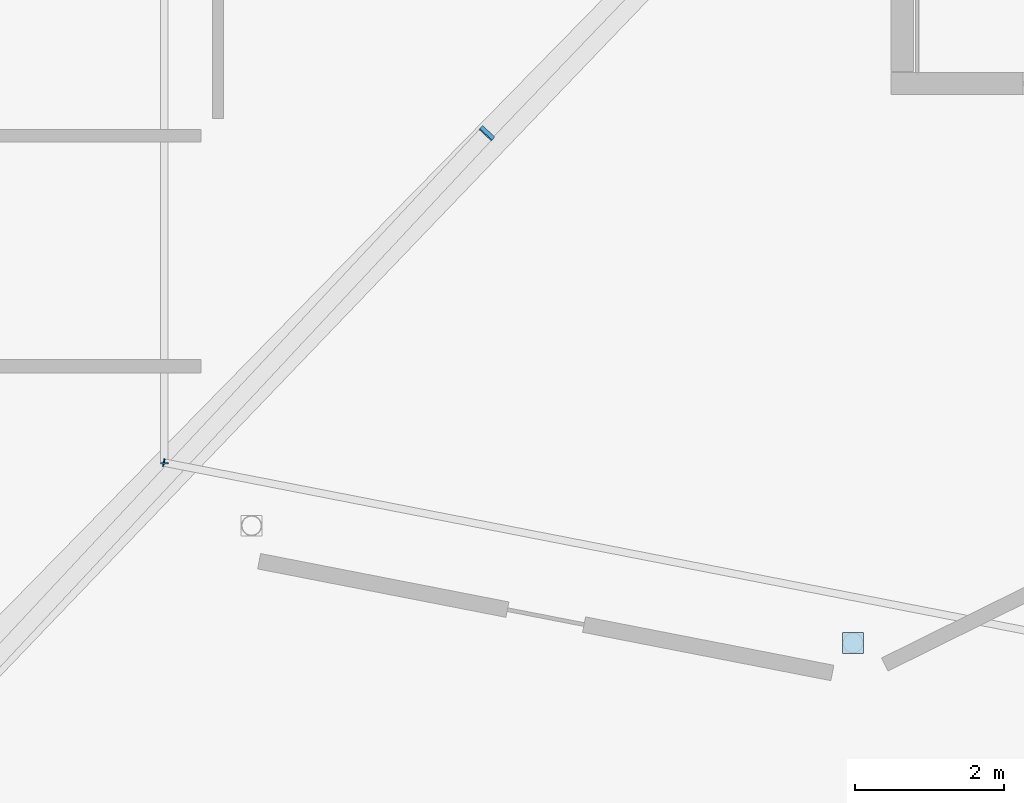
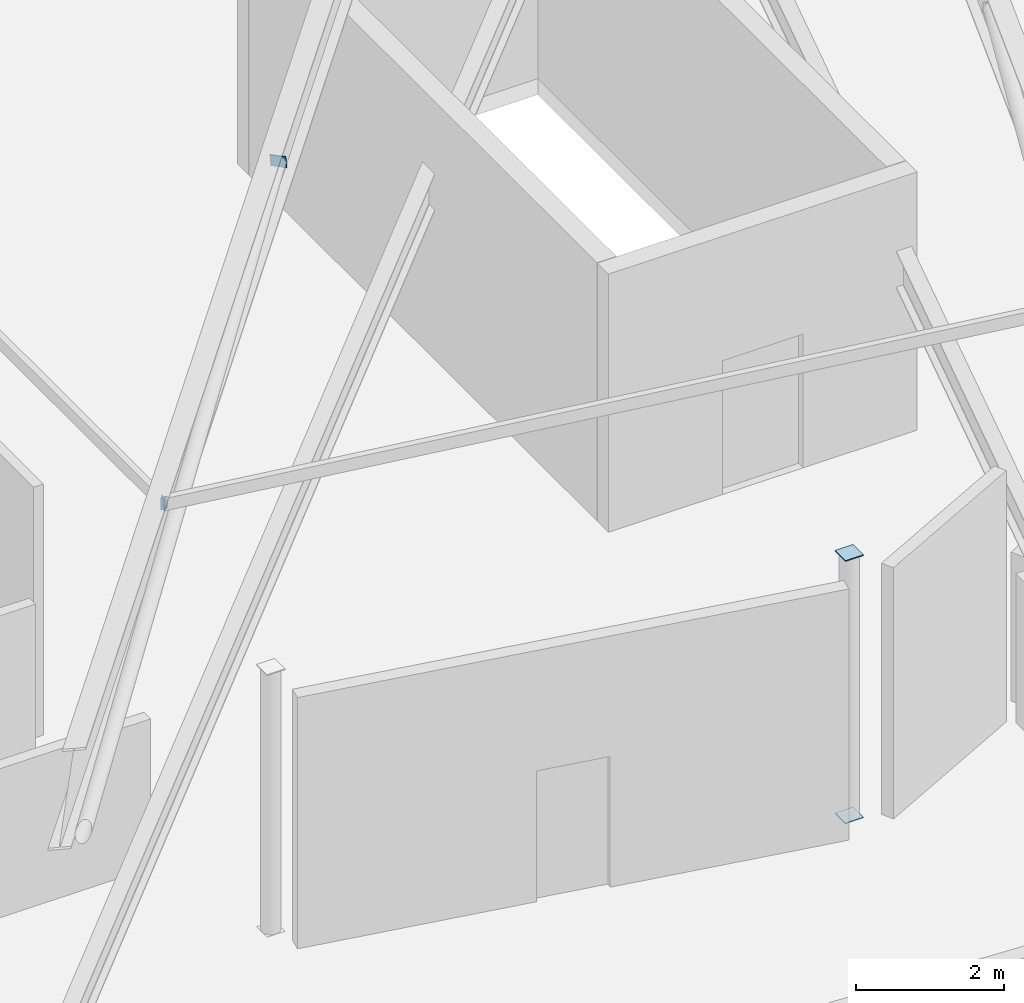
# One storey, part 30 of 50: 5 plates.
"""IFC4 building model written with IfcOpenShell, lengths in metres."""

from ifc_helpers import new_model, si_unit, direction, frame, origin, origin_2d, place, context, subcontext, project, spatial, rectangle, extrude, material, layer, layer_set, type_object, element, save


model = new_model("IFC4")

# Units and contexts
model_context = context("Model", 3, precision=1e-05, world=origin(), true_north=direction((0.0, 1.0)))
body_context = subcontext(model_context, "Body", "Model", "MODEL_VIEW")
ifc_project = project(units=[si_unit("LENGTHUNIT", "METRE"), si_unit("AREAUNIT", "SQUARE_METRE"), si_unit("VOLUMEUNIT", "CUBIC_METRE"), si_unit("PLANEANGLEUNIT", "RADIAN"), si_unit("MASSUNIT", "GRAM", prefix="KILO")], contexts=[model_context])

# Site, building, storey
site_placement = place(None, origin())
site = spatial("IfcSite", under=ifc_project, at=site_placement, CompositionType="ELEMENT")
building_placement = place(site_placement, origin())
building = spatial("IfcBuilding", under=site, at=building_placement, Name="Sarnbrook Museum", CompositionType="ELEMENT")
storey_placement = place(building_placement, frame((0.0, 0.0, 28.10009765625)))
storey = spatial("IfcBuildingStorey", under=building, at=storey_placement, Name="L05", CompositionType="ELEMENT", Elevation=28.10009765625)

# Plates
ifc_material = material(Name="Structural Steel Grade 350L0 (AS/NZS 3678, fy = 340 MPa for 20 < t <= 40 mm)", Category="steel")
ifc_layer_1 = layer(ifc_material, 0.01611328125)
ifc_layer_set_1 = layer_set([ifc_layer_1], Name="Structural Steel Grade 350L0 (AS/NZS 3678, fy = 340 MPa for 20 < t <= 40 mm)")
plate_type_1 = type_object("IfcPlateType", Name="EndCapPlate_CAP200x100", PredefinedType="USERDEFINED", material=ifc_layer_set_1)
for number, where, z_axis, x_axis, name in (
    (1, (131.61083984375, 75.25537109375, 6.907470703125), (0.981287181125, -0.191270685504, 0.022158362451), (0.191317659088, 0.981528172454, 0.0), "Hollow End Cap Plate CRPR:1:1-1"),
    (2, (131.62646484375, 75.25244140625, 6.907958984375), (0.0, -1.0, 0.0), (1.0, 0.0, 0.0), "Hollow End Cap Plate CRPR:7:1-2"),
):
    element("IfcPlate", number, at=place(storey_placement, frame(where, z_axis=z_axis, x_axis=x_axis)), inside=storey, type_object=plate_type_1, Name=name, ObjectType="END CAP PLATE", PredefinedType="USERDEFINED", context=body_context, shape_type="SweptSolid", body=[
        extrude(rectangle(XDim=0.10009765625, YDim=0.199951171875, at=origin_2d()), origin(), (0.0, 0.0, 1.0), 0.01611328125),
    ])
ifc_layer_2 = layer(ifc_material, 0.01611328125)
ifc_layer_set_2 = layer_set([ifc_layer_2], Name="Structural Steel Grade 350L0 (AS/NZS 3678, fy = 340 MPa for 20 < t <= 40 mm)")
plate_type_2 = type_object("IfcPlateType", Name="EndCapPlate_CAP219", PredefinedType="USERDEFINED", material=ifc_layer_set_2)
plate_placement = place(storey_placement, frame((135.95947265625, 79.676025390625, 8.320068359375), z_axis=(0.659510304637, 0.706904083733, 0.255602766964), x_axis=(-0.731192929893, 0.6821707259, 0.0)))
element("IfcPlate", 3, at=plate_placement, inside=storey, type_object=plate_type_2, Name="Hollow End Cap Plate CRTR:WEB:1-2", ObjectType="END CAP PLATE", PredefinedType="USERDEFINED", context=body_context, shape_type="SweptSolid", body=[
    extrude(rectangle(XDim=0.22509765625, YDim=0.22509765625, at=origin_2d()), origin(), (0.0, 0.0, 1.0), 0.01611328125),
])
ifc_layer_3 = layer(ifc_material, 0.01611328125)
ifc_layer_set_3 = layer_set([ifc_layer_3], Name="Structural Steel Grade 350L0 (AS/NZS 3678, fy = 340 MPa for 20 < t <= 40 mm)")
plate_type_3 = type_object("IfcPlateType", Name="EndCapPlate_CAP273", PredefinedType="USERDEFINED", material=ifc_layer_set_3)
for number, where, z_axis, x_axis, name in (
    (4, (140.88720703125, 72.828857421875, -0.01611328125), (0.0, 0.0, 1.0), (1.0, 0.0, 0.0), "Hollow End Cap Plate COL:L05:V1R2-1-1"),
    (5, (140.88720703125, 72.828857421875, 4.2998046875), (0.0, 0.0, 1.0), (1.0, 0.0, 0.0), "Hollow End Cap Plate COL:L05:V1R2-1-2"),
):
    element("IfcPlate", number, at=place(storey_placement, frame(where, z_axis=z_axis, x_axis=x_axis)), inside=storey, type_object=plate_type_3, Name=name, ObjectType="END CAP PLATE", PredefinedType="USERDEFINED", context=body_context, shape_type="SweptSolid", body=[
        extrude(rectangle(XDim=0.280029296875, YDim=0.280029296875, at=origin_2d()), origin(), (0.0, 0.0, 1.0), 0.01611328125),
    ])

save(model, "model.ifc")
